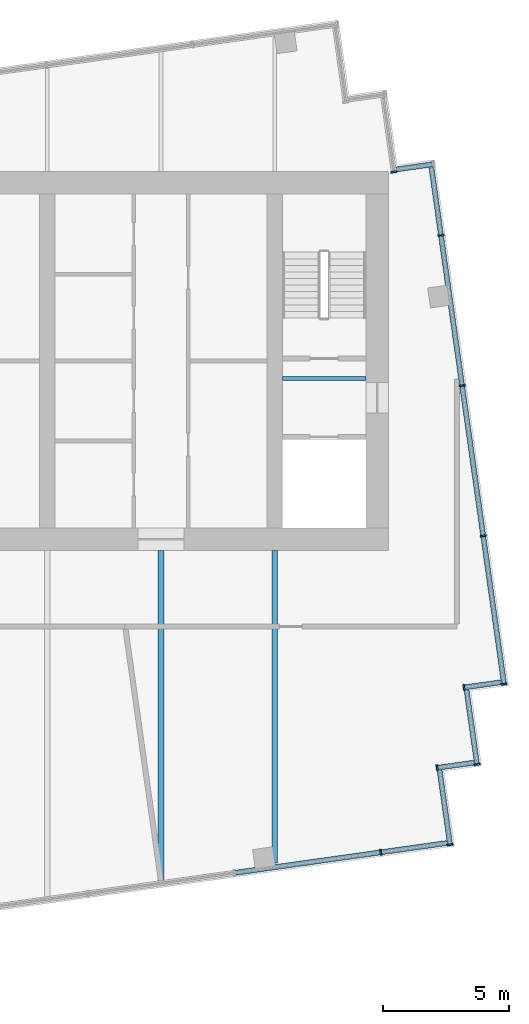
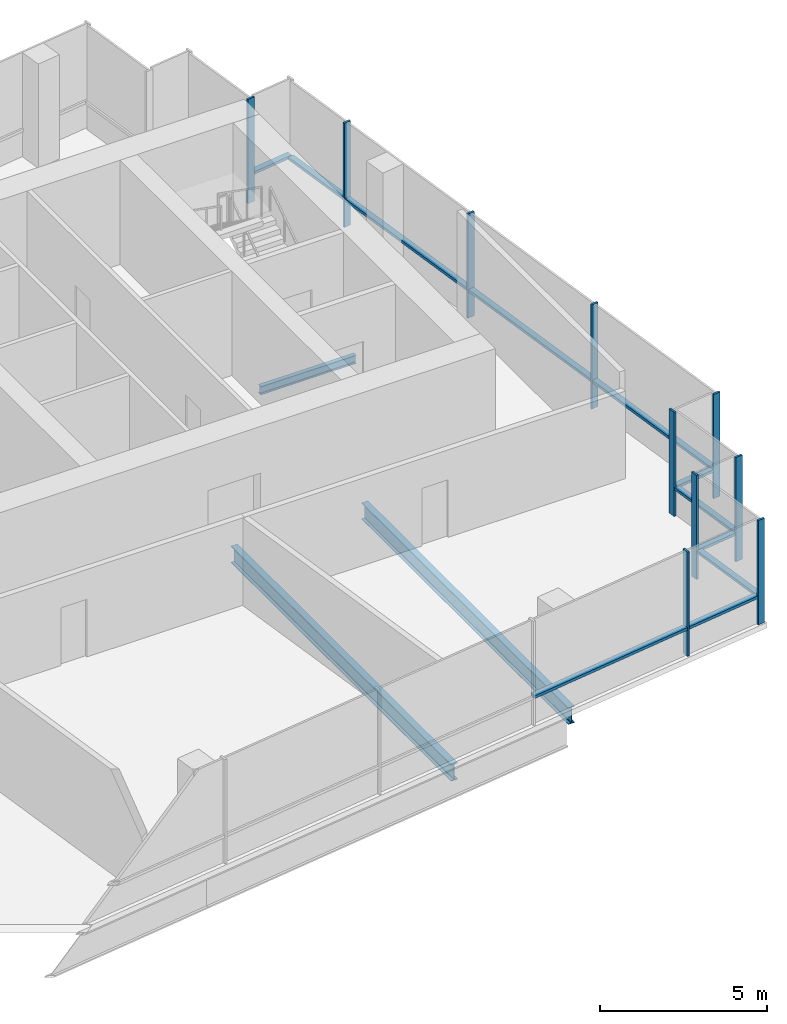
# One storey, part 4 of 10: 21 members, 3 beams, 8 elements without a shape of their own.
"""IFC4 building model written with IfcOpenShell, lengths in metres."""

from ifc_helpers import new_model, si_unit, direction, frame, origin, origin_2d, place, context, subcontext, project, spatial, rectangle, i_section, extrude, material, layer, layer_set, material_profile, profile_set, type_object, element, aggregate, save


model = new_model("IFC4")

# Units and contexts
model_context = context("Model", 3, precision=1e-05, world=origin(), true_north=direction((0.0, 1.0)))
body_context = subcontext(model_context, "Body", "Model", "MODEL_VIEW")
ifc_project = project(units=[si_unit("LENGTHUNIT", "METRE"), si_unit("AREAUNIT", "SQUARE_METRE"), si_unit("VOLUMEUNIT", "CUBIC_METRE"), si_unit("PLANEANGLEUNIT", "RADIAN"), si_unit("MASSUNIT", "GRAM", prefix="KILO")], contexts=[model_context])

# Site, building, storey
site_placement = place(None, origin())
site = spatial("IfcSite", under=ifc_project, at=site_placement, CompositionType="ELEMENT")
building_placement = place(site_placement, origin())
building = spatial("IfcBuilding", under=site, at=building_placement, Name="Rattan Terrace Tower", CompositionType="ELEMENT")
storey_placement = place(building_placement, frame((0.0, 0.0, 308.300048828125)))
storey = spatial("IfcBuildingStorey", under=building, at=storey_placement, Name="C05", CompositionType="ELEMENT", Elevation=308.300048828125)

# Beams
ifc_material_1 = material(Name="Steel S355", Category="steel")
ifc_material_profile_1 = material_profile(ifc_material_1, i_section(OverallWidth=0.14990234375, OverallDepth=0.300048828125, WebThickness=0.007080078125, FlangeThickness=0.0107421875, FilletRadius=0.014892578125, at=origin_2d()), Name="IPE 300")
ifc_profile_set_1 = profile_set([ifc_material_profile_1], Name="Steel S355")
beam_type_1 = type_object("IfcBeamType", Name="Frame floor beam IPE 300", PredefinedType="JOIST", material=ifc_profile_set_1)
beam_1_placement = place(storey_placement, frame((13.800048828125, -0.695068359375, -0.35009765625), z_axis=(1.0, 0.0, 0.0), x_axis=(0.0, 1.0, 0.0)))
element("IfcBeam", 1, at=beam_1_placement, inside=storey, type_object=beam_type_1, Name="bm-C05-002", PredefinedType="JOIST", context=body_context, shape_type="SweptSolid", body=[
    extrude(i_section(OverallWidth=0.14990234375, OverallDepth=0.300048828125, WebThickness=0.007080078125, FlangeThickness=0.0107421875, FilletRadius=0.014892578125, at=origin_2d()), origin(), (0.0, 0.0, 1.0), 3.300048828125),
])
ifc_material_2 = material(Name="Steel S355", Category="steel")
ifc_material_profile_2 = material_profile(ifc_material_2, i_section(OverallWidth=0.219970703125, OverallDepth=0.60009765625, WebThickness=0.011962890625, FlangeThickness=0.01904296875, FilletRadius=0.02392578125, at=origin_2d()), Name="IPE 600")
ifc_profile_set_2 = profile_set([ifc_material_profile_2], Name="Steel S355")
beam_type_2 = type_object("IfcBeamType", Name="Frame floor beam IPE 600", PredefinedType="JOIST", material=ifc_profile_set_2)
beam_2_placement = place(storey_placement, frame((13.5, -19.846923828125, -0.5), z_axis=(0.0, 1.0, 0.0), x_axis=(-1.0, 0.0, 0.0)))
element("IfcBeam", 2, at=beam_2_placement, inside=storey, type_object=beam_type_2, Name="bm-C05-008", PredefinedType="JOIST", context=body_context, shape_type="SweptSolid", body=[
    extrude(i_section(OverallWidth=0.219970703125, OverallDepth=0.60009765625, WebThickness=0.011962890625, FlangeThickness=0.01904296875, FilletRadius=0.02392578125, at=origin_2d()), origin(), (0.0, 0.0, 1.0), 12.346923828125),
])
ifc_material_3 = material(Name="Steel S355", Category="steel")
ifc_material_profile_3 = material_profile(ifc_material_3, i_section(OverallWidth=0.22412109375, OverallDepth=0.610107421875, WebThickness=0.014892578125, FlangeThickness=0.02392578125, FilletRadius=0.02392578125, at=origin_2d()), Name="IPE O 600")
ifc_profile_set_3 = profile_set([ifc_material_profile_3], Name="Steel S355")
beam_type_3 = type_object("IfcBeamType", Name="Frame floor beam IPE O 600", PredefinedType="JOIST", material=ifc_profile_set_3)
beam_3_placement = place(storey_placement, frame((9.0, -20.64501953125, -0.505126953125), z_axis=(0.0, 1.0, 0.0), x_axis=(-1.0, 0.0, 0.0)))
element("IfcBeam", 3, at=beam_3_placement, inside=storey, type_object=beam_type_3, Name="bm-C05-007", PredefinedType="JOIST", context=body_context, shape_type="SweptSolid", body=[
    extrude(i_section(OverallWidth=0.22412109375, OverallDepth=0.610107421875, WebThickness=0.014892578125, FlangeThickness=0.02392578125, FilletRadius=0.02392578125, at=origin_2d()), origin(), (0.0, 0.0, 1.0), 13.14501953125),
])

# Curtain wall, member
ifc_material_4 = material(Name="Aluminium and laminated glass", Category="aluminium")
ifc_layer = layer(ifc_material_4, 0.239990234375)
ifc_layer_set = layer_set([ifc_layer], Name="Lantern Stick Curtain Wall")
curtain_wall_type = type_object("IfcCurtainWallType", Name="Lantern Stick Curtain Wall", PredefinedType="NOTDEFINED", material=ifc_layer_set)
curtain_wall_1_placement = place(storey_placement, origin())
curtain_wall_1 = element("IfcCurtainWall", 4, at=curtain_wall_1_placement, inside=storey, type_object=curtain_wall_type, Name="Lantern curtain wall C05-6", PredefinedType="NOTDEFINED")
ifc_material_5 = material(Name="Aluminium", Category="aluminium")
ifc_material_profile_4 = material_profile(ifc_material_5, rectangle(XDim=0.070068359375, YDim=0.239990234375, at=origin_2d()), Name="Aluminium 70x240")
ifc_profile_set_4 = profile_set([ifc_material_profile_4], Name="Aluminium")
member_type_1 = type_object("IfcMemberType", Name="Lantern CW Mullion 70x240", PredefinedType="MULLION", material=ifc_profile_set_4)
member_1_placement = place(storey_placement, frame((17.69189453125, -19.433837890625, 0.0), z_axis=(0.0, 0.0, 1.0), x_axis=(0.990266952226, 0.13918104515, 0.0)))
member_1 = element("IfcMember", 5, at=member_1_placement, type_object=member_type_1, Name="Mullion cwl-C05-006.7", PredefinedType="MULLION", context=body_context, shape_type="SweptSolid", body=[
    extrude(rectangle(XDim=0.070068359375, YDim=0.239990234375, at=origin_2d()), origin(), (0.0, 0.0, 1.0), 3.800048828125),
])

curtain_wall_2_placement = place(storey_placement, origin())
curtain_wall_2 = element("IfcCurtainWall", 6, at=curtain_wall_2_placement, inside=storey, type_object=curtain_wall_type, Name="Lantern curtain wall C05-7", PredefinedType="NOTDEFINED")
member_2_placement = place(storey_placement, frame((20.431884765625, -19.134521484375, 0.0), z_axis=(0.0, 0.0, 1.0), x_axis=(-0.139040257974, 0.990286729519, 0.0)))
member_2 = element("IfcMember", 7, at=member_2_placement, type_object=member_type_1, Name="Mullion cwl-C05-007.1", PredefinedType="MULLION", context=body_context, shape_type="SweptSolid", body=[
    extrude(rectangle(XDim=0.070068359375, YDim=0.239990234375, at=origin_2d()), origin(), (0.0, 0.0, 1.0), 3.800048828125),
])

curtain_wall_3_placement = place(storey_placement, origin())
curtain_wall_3 = element("IfcCurtainWall", 8, at=curtain_wall_3_placement, inside=storey, type_object=curtain_wall_type, Name="Lantern curtain wall C05-8", PredefinedType="NOTDEFINED")
member_3_placement = place(storey_placement, frame((19.9189453125, -16.09228515625, 0.0), z_axis=(0.0, 0.0, 1.0), x_axis=(0.990227803001, 0.139459306479, 0.0)))
member_3 = element("IfcMember", 9, at=member_3_placement, type_object=member_type_1, Name="Mullion cwl-C05-008.1", PredefinedType="MULLION", context=body_context, shape_type="SweptSolid", body=[
    extrude(rectangle(XDim=0.070068359375, YDim=0.239990234375, at=origin_2d()), origin(), (0.0, 0.0, 1.0), 3.800048828125),
])

curtain_wall_4_placement = place(storey_placement, origin())
curtain_wall_4 = element("IfcCurtainWall", 10, at=curtain_wall_4_placement, inside=storey, type_object=curtain_wall_type, Name="Lantern curtain wall C05-9", PredefinedType="NOTDEFINED")
member_4_placement = place(storey_placement, frame((21.498779296875, -15.95556640625, 0.0), z_axis=(0.0, 0.0, 1.0), x_axis=(-0.139367219175, 0.990240767803, 0.0)))
member_4 = element("IfcMember", 11, at=member_4_placement, type_object=member_type_1, Name="Mullion cwl-C05-009.1", PredefinedType="MULLION", context=body_context, shape_type="SweptSolid", body=[
    extrude(rectangle(XDim=0.070068359375, YDim=0.239990234375, at=origin_2d()), origin(), (0.0, 0.0, 1.0), 3.800048828125),
])

curtain_wall_5_placement = place(storey_placement, origin())
curtain_wall_5 = element("IfcCurtainWall", 12, at=curtain_wall_5_placement, inside=storey, type_object=curtain_wall_type, Name="Lantern curtain wall C05-10", PredefinedType="NOTDEFINED")
member_5_placement = place(storey_placement, frame((20.98486328125, -12.9130859375, 0.0), z_axis=(0.0, 0.0, 1.0), x_axis=(0.99025370695, 0.139275252184, 0.0)))
member_5 = element("IfcMember", 13, at=member_5_placement, type_object=member_type_1, Name="Mullion cwl-C05-010.1", PredefinedType="MULLION", context=body_context, shape_type="SweptSolid", body=[
    extrude(rectangle(XDim=0.070068359375, YDim=0.239990234375, at=origin_2d()), origin(), (0.0, 0.0, 1.0), 3.800048828125),
])

# Curtain wall, members
curtain_wall_6_placement = place(storey_placement, origin())
curtain_wall_6 = element("IfcCurtainWall", 14, at=curtain_wall_6_placement, inside=storey, type_object=curtain_wall_type, Name="Lantern curtain wall C05-11", PredefinedType="NOTDEFINED")
member_6_placement = place(storey_placement, frame((22.56689453125, -12.776611328125, 0.0), z_axis=(0.0, 0.0, 1.0), x_axis=(-0.139187707455, 0.990266015823, 0.0)))
member_6 = element("IfcMember", 15, at=member_6_placement, type_object=member_type_1, Name="Mullion cwl-C05-011.1", PredefinedType="MULLION", context=body_context, shape_type="SweptSolid", body=[
    extrude(rectangle(XDim=0.070068359375, YDim=0.239990234375, at=origin_2d()), origin(), (0.0, 0.0, 1.0), 3.800048828125),
])
member_7_placement = place(storey_placement, frame((21.74365234375, -6.919189453125, 0.0), z_axis=(0.0, 0.0, 1.0), x_axis=(-0.139187707455, 0.990266015823, 0.0)))
member_7 = element("IfcMember", 16, at=member_7_placement, type_object=member_type_1, Name="Mullion cwl-C05-011.2", PredefinedType="MULLION", context=body_context, shape_type="SweptSolid", body=[
    extrude(rectangle(XDim=0.070068359375, YDim=0.239990234375, at=origin_2d()), origin(), (0.0, 0.0, 1.0), 3.800048828125),
])
member_8_placement = place(storey_placement, frame((20.908447265625, -0.9775390625, 0.0), z_axis=(0.0, 0.0, 1.0), x_axis=(-0.139187707455, 0.990266015823, 0.0)))
member_8 = element("IfcMember", 17, at=member_8_placement, type_object=member_type_1, Name="Mullion cwl-C05-011.3", PredefinedType="MULLION", context=body_context, shape_type="SweptSolid", body=[
    extrude(rectangle(XDim=0.070068359375, YDim=0.239990234375, at=origin_2d()), origin(), (0.0, 0.0, 1.0), 3.800048828125),
])
member_9_placement = place(storey_placement, frame((20.0732421875, 4.964111328125, 0.0), z_axis=(0.0, 0.0, 1.0), x_axis=(-0.139187707455, 0.990266015823, 0.0)))
member_9 = element("IfcMember", 18, at=member_9_placement, type_object=member_type_1, Name="Mullion cwl-C05-011.4", PredefinedType="MULLION", context=body_context, shape_type="SweptSolid", body=[
    extrude(rectangle(XDim=0.070068359375, YDim=0.239990234375, at=origin_2d()), origin(), (0.0, 0.0, 1.0), 3.800048828125),
])

# Curtain wall, member
curtain_wall_7_placement = place(storey_placement, origin())
curtain_wall_7 = element("IfcCurtainWall", 19, at=curtain_wall_7_placement, inside=storey, type_object=curtain_wall_type, Name="Lantern curtain wall C05-13", PredefinedType="NOTDEFINED")
member_10_placement = place(storey_placement, frame((18.207275390625, 7.473876953125, 0.0), z_axis=(0.0, 0.0, 1.0), x_axis=(-0.139555918709, 0.990214191755, 0.0)))
member_10 = element("IfcMember", 20, at=member_10_placement, type_object=member_type_1, Name="Mullion cwl-C05-013.1", PredefinedType="MULLION", context=body_context, shape_type="SweptSolid", body=[
    extrude(rectangle(XDim=0.070068359375, YDim=0.239990234375, at=origin_2d()), origin(), (0.0, 0.0, 1.0), 3.800048828125),
])
aggregate(curtain_wall_7, [member_10])

# Member
ifc_material_6 = material(Name="Aluminium", Category="aluminium")
ifc_material_profile_5 = material_profile(ifc_material_6, rectangle(XDim=0.199951171875, YDim=0.10009765625, at=origin_2d()), Name="Aluminium 200x100")
ifc_profile_set_5 = profile_set([ifc_material_profile_5], Name="Aluminium")
member_type_2 = type_object("IfcMemberType", Name="Lantern CW Transom 200x100", PredefinedType="USERDEFINED", material=ifc_profile_set_5)
member_11_placement = place(storey_placement, frame((11.9375, -20.242431640625, 1.0), z_axis=(0.99027150937, 0.139148617417, 0.0), x_axis=(-0.139148617417, 0.99027150937, 0.0)))
member_11 = element("IfcMember", 21, at=member_11_placement, type_object=member_type_2, Name="Transom cwl-C05-006.6", ObjectType="TRANSOM", PredefinedType="USERDEFINED", context=body_context, shape_type="SweptSolid", body=[
    extrude(rectangle(XDim=0.199951171875, YDim=0.10009765625, at=origin_2d()), origin(), (0.0, 0.0, 1.0), 5.77587890625),
])

member_12_placement = place(storey_placement, frame((17.7265625, -19.428955078125, 1.0), z_axis=(0.990256983473, 0.139251953963, 0.0), x_axis=(-0.139251953963, 0.990256983473, 0.0)))
member_12 = element("IfcMember", 22, at=member_12_placement, type_object=member_type_2, Name="Transom cwl-C05-006.7", ObjectType="TRANSOM", PredefinedType="USERDEFINED", context=body_context, shape_type="SweptSolid", body=[
    extrude(rectangle(XDim=0.199951171875, YDim=0.10009765625, at=origin_2d()), origin(), (0.0, 0.0, 1.0), 2.60009765625),
])

aggregate(curtain_wall_1, [member_1, member_11, member_12])

member_13_placement = place(storey_placement, frame((20.427001953125, -19.099853515625, 1.0), z_axis=(-0.139028781454, 0.990288340801, 0.0), x_axis=(-0.990288340801, -0.139028781454, 0.0)))
member_13 = element("IfcMember", 23, at=member_13_placement, type_object=member_type_2, Name="Transom cwl-C05-007.1", ObjectType="TRANSOM", PredefinedType="USERDEFINED", context=body_context, shape_type="SweptSolid", body=[
    extrude(rectangle(XDim=0.199951171875, YDim=0.10009765625, at=origin_2d()), origin(), (0.0, 0.0, 1.0), 2.92919921875),
])

aggregate(curtain_wall_2, [member_2, member_13])

member_14_placement = place(storey_placement, frame((19.95361328125, -16.08740234375, 1.0), z_axis=(0.990227834808, 0.139459080636, 0.0), x_axis=(-0.139459080636, 0.990227834808, 0.0)))
member_14 = element("IfcMember", 24, at=member_14_placement, type_object=member_type_2, Name="Transom cwl-C05-008.1", ObjectType="TRANSOM", PredefinedType="USERDEFINED", context=body_context, shape_type="SweptSolid", body=[
    extrude(rectangle(XDim=0.199951171875, YDim=0.10009765625, at=origin_2d()), origin(), (0.0, 0.0, 1.0), 1.428466796875),
])

aggregate(curtain_wall_3, [member_3, member_14])

member_15_placement = place(storey_placement, frame((21.493896484375, -15.9208984375, 1.0), z_axis=(-0.139355716724, 0.990242386599, 0.0), x_axis=(-0.990242386599, -0.139355716724, 0.0)))
member_15 = element("IfcMember", 25, at=member_15_placement, type_object=member_type_2, Name="Transom cwl-C05-009.1", ObjectType="TRANSOM", PredefinedType="USERDEFINED", context=body_context, shape_type="SweptSolid", body=[
    extrude(rectangle(XDim=0.199951171875, YDim=0.10009765625, at=origin_2d()), origin(), (0.0, 0.0, 1.0), 2.92919921875),
])

aggregate(curtain_wall_4, [member_4, member_15])

member_16_placement = place(storey_placement, frame((21.01953125, -12.908203125, 1.0), z_axis=(0.990257681856, 0.139246987488, 0.0), x_axis=(-0.139246987488, 0.990257681856, 0.0)))
member_16 = element("IfcMember", 26, at=member_16_placement, type_object=member_type_2, Name="Transom cwl-C05-010.1", ObjectType="TRANSOM", PredefinedType="USERDEFINED", context=body_context, shape_type="SweptSolid", body=[
    extrude(rectangle(XDim=0.199951171875, YDim=0.10009765625, at=origin_2d()), origin(), (0.0, 0.0, 1.0), 1.4306640625),
])

aggregate(curtain_wall_5, [member_5, member_16])

member_17_placement = place(storey_placement, frame((22.56201171875, -12.741943359375, 1.0), z_axis=(-0.139216432116, 0.990261977978, 0.0), x_axis=(-0.990261977978, -0.139216432116, 0.0)))
member_17 = element("IfcMember", 27, at=member_17_placement, type_object=member_type_2, Name="Transom cwl-C05-011.1", ObjectType="TRANSOM", PredefinedType="USERDEFINED", context=body_context, shape_type="SweptSolid", body=[
    extrude(rectangle(XDim=0.199951171875, YDim=0.10009765625, at=origin_2d()), origin(), (0.0, 0.0, 1.0), 5.844970703125),
])

member_18_placement = place(storey_placement, frame((21.73876953125, -6.884521484375, 1.0), z_axis=(-0.139196165956, 0.990264826894, 0.0), x_axis=(-0.990264826894, -0.139196165956, 0.0)))
member_18 = element("IfcMember", 28, at=member_18_placement, type_object=member_type_2, Name="Transom cwl-C05-011.2", ObjectType="TRANSOM", PredefinedType="USERDEFINED", context=body_context, shape_type="SweptSolid", body=[
    extrude(rectangle(XDim=0.199951171875, YDim=0.10009765625, at=origin_2d()), origin(), (0.0, 0.0, 1.0), 5.929931640625),
])

member_19_placement = place(storey_placement, frame((20.903564453125, -0.94287109375, 1.0), z_axis=(-0.139196165956, 0.990264826894, 0.0), x_axis=(-0.990264826894, -0.139196165956, 0.0)))
member_19 = element("IfcMember", 29, at=member_19_placement, type_object=member_type_2, Name="Transom cwl-C05-011.3", ObjectType="TRANSOM", PredefinedType="USERDEFINED", context=body_context, shape_type="SweptSolid", body=[
    extrude(rectangle(XDim=0.199951171875, YDim=0.10009765625, at=origin_2d()), origin(), (0.0, 0.0, 1.0), 5.929931640625),
])

member_20_placement = place(storey_placement, frame((20.068359375, 4.998779296875, 1.0), z_axis=(-0.139159755343, 0.990269944254, 0.0), x_axis=(-0.990269944254, -0.139159755343, 0.0)))
member_20 = element("IfcMember", 30, at=member_20_placement, type_object=member_type_2, Name="Transom cwl-C05-011.4", ObjectType="TRANSOM", PredefinedType="USERDEFINED", context=body_context, shape_type="SweptSolid", body=[
    extrude(rectangle(XDim=0.199951171875, YDim=0.10009765625, at=origin_2d()), origin(), (0.0, 0.0, 1.0), 2.675537109375),
])

aggregate(curtain_wall_6, [member_6, member_7, member_8, member_9, member_17, member_18, member_19, member_20])

# Curtain wall, member
curtain_wall_8_placement = place(storey_placement, origin())
curtain_wall_8 = element("IfcCurtainWall", 31, at=curtain_wall_8_placement, inside=storey, type_object=curtain_wall_type, Name="Lantern curtain wall C05-12", PredefinedType="NOTDEFINED")
member_21_placement = place(storey_placement, frame((19.728759765625, 7.77392578125, 1.0), z_axis=(-0.990227834808, -0.139459080636, 0.0), x_axis=(0.139459080636, -0.990227834808, 0.0)))
member_21 = element("IfcMember", 32, at=member_21_placement, type_object=member_type_2, Name="Transom cwl-C05-012.1", ObjectType="TRANSOM", PredefinedType="USERDEFINED", context=body_context, shape_type="SweptSolid", body=[
    extrude(rectangle(XDim=0.199951171875, YDim=0.10009765625, at=origin_2d()), origin(), (0.0, 0.0, 1.0), 1.428466796875),
])
aggregate(curtain_wall_8, [member_21])

save(model, "model.ifc")
